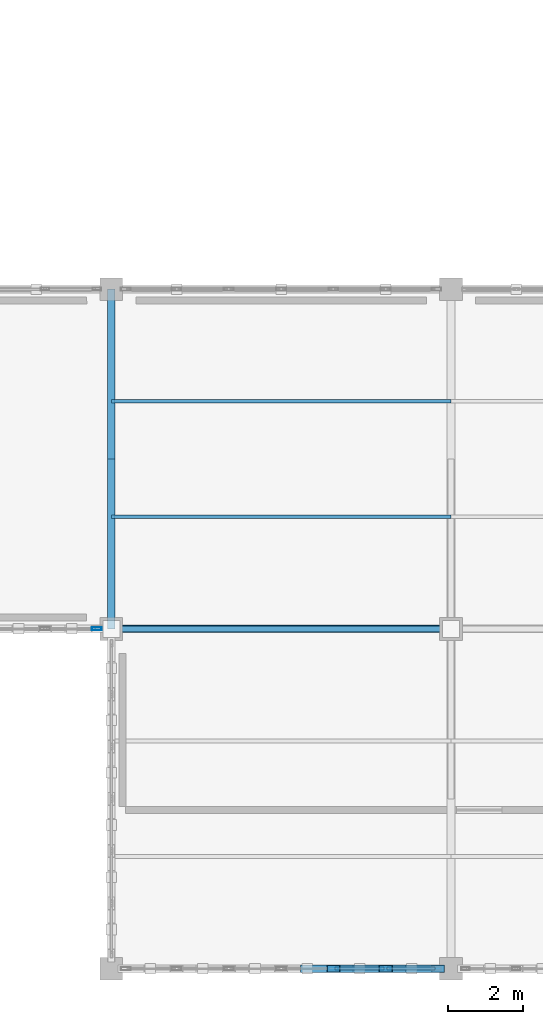
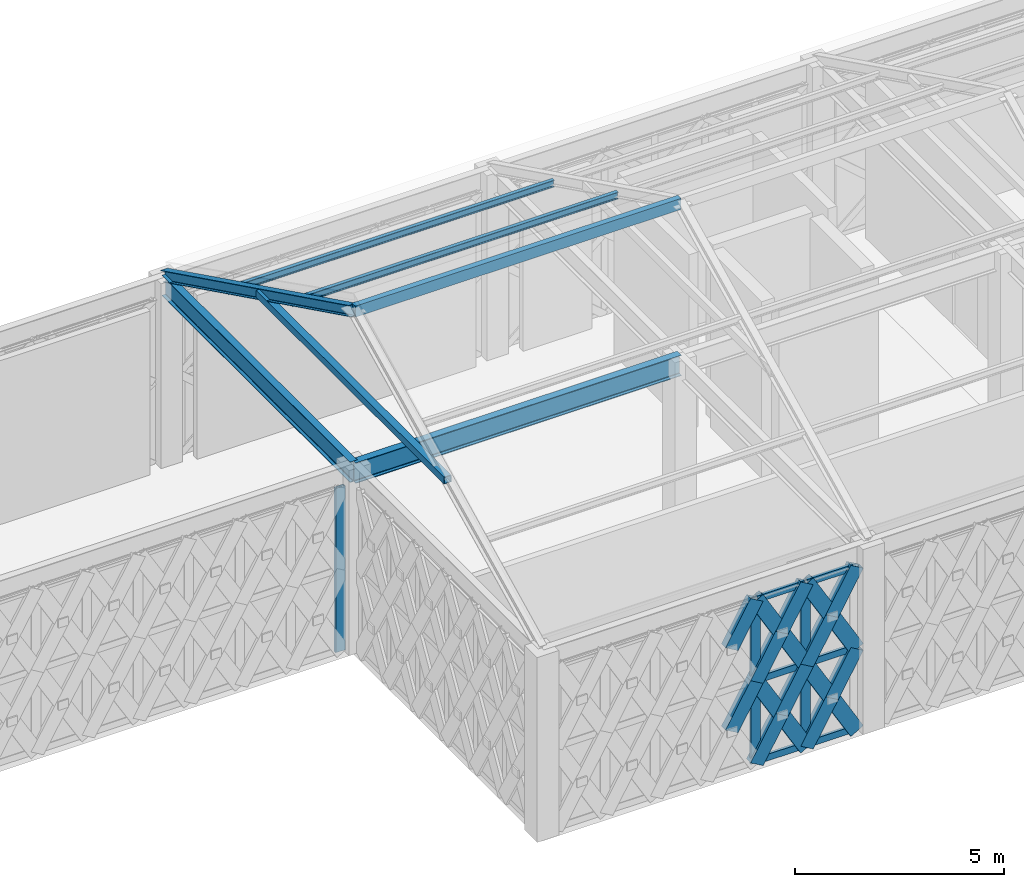
# One storey, part 6 of 32: 28 members, 2 beams, 2 elements without a shape of their own.
"""IFC4 building model written with IfcOpenShell, lengths in metres."""

from ifc_helpers import new_model, si_unit, direction, frame, origin, origin_2d, place, context, subcontext, project, spatial, hollow_rectangle, i_section, extrude, material, material_profile, profile_set, type_object, element, aggregate, save


model = new_model("IFC4")

# Units and contexts
model_context = context("Model", 3, precision=1e-05, world=origin(), true_north=direction((0.0, 1.0)))
body_context = subcontext(model_context, "Body", "Model", "MODEL_VIEW")
ifc_project = project(units=[si_unit("LENGTHUNIT", "METRE"), si_unit("AREAUNIT", "SQUARE_METRE"), si_unit("VOLUMEUNIT", "CUBIC_METRE"), si_unit("PLANEANGLEUNIT", "RADIAN"), si_unit("MASSUNIT", "GRAM", prefix="KILO")], contexts=[model_context])

# Site, building, storey
site_placement = place(None, origin())
site = spatial("IfcSite", under=ifc_project, at=site_placement, CompositionType="ELEMENT")
building_placement = place(site_placement, origin())
building = spatial("IfcBuilding", under=site, at=building_placement, Name="Haizhuo Lancet Aquarium", CompositionType="ELEMENT")
storey_placement = place(building_placement, frame((0.0, 0.0, 27.0)))
storey = spatial("IfcBuildingStorey", under=building, at=storey_placement, Name="L05", CompositionType="ELEMENT", Elevation=27.0)

# Beams
ifc_material_1 = material(Name="Steel S355", Category="steel")
ifc_material_profile_1 = material_profile(ifc_material_1, i_section(OverallWidth=0.199951171875, OverallDepth=0.60009765625, WebThickness=0.010986328125, FlangeThickness=0.01708984375, FilletRadius=0.02197265625, at=origin_2d()), Name="HN 600x200x11x17")
ifc_profile_set_1 = profile_set([ifc_material_profile_1], Name="Steel S355")
beam_type = type_object("IfcBeamType", Name="BM-ST-HN600", PredefinedType="BEAM", material=ifc_profile_set_1)
for number, where, z_axis, x_axis, name in (
    (1, (-72.0, -18.0, 5.10009765625), (0.0, 1.0, 0.0), (-1.0, 0.0, 0.0), "L05 V6 primary girder BM-L05-V6-006"),
    (2, (-72.0, -18.0, 5.10009765625), (1.0, 0.0, 0.0), (0.0, 1.0, 0.0), "L05 V6 primary girder BM-L05-V6-007"),
):
    element("IfcBeam", number, at=place(storey_placement, frame(where, z_axis=z_axis, x_axis=x_axis)), inside=storey, type_object=beam_type, Name=name, PredefinedType="BEAM", context=body_context, shape_type="SweptSolid", body=[
        extrude(i_section(OverallWidth=0.199951171875, OverallDepth=0.60009765625, WebThickness=0.010986328125, FlangeThickness=0.01708984375, FilletRadius=0.02197265625, at=origin_2d()), origin(), (0.0, 0.0, 1.0), 9.0),
    ])

# Curtain wall, member
ifc_material_2 = material(Name="Aluminium 6063-T6", Category="aluminium")
curtain_wall_type_1 = type_object("IfcCurtainWallType", Name="CWD-9860x4800", PredefinedType="NOTDEFINED", material=ifc_material_2)
curtain_wall_1_placement = place(storey_placement, origin())
curtain_wall_1 = element("IfcCurtainWall", 3, at=curtain_wall_1_placement, inside=storey, type_object=curtain_wall_type_1, Name="L05 curtain wall CW-V6-L05-258", PredefinedType="NOTDEFINED")
ifc_material_profile_2 = material_profile(ifc_material_2, hollow_rectangle(XDim=0.080078125, YDim=0.260009765625, WallThickness=0.0048828125, at=origin_2d()), Name="ALU-M 80x260x5")
ifc_profile_set_2 = profile_set([ifc_material_profile_2], Name="Aluminium 6063-T6")
member_type_1 = type_object("IfcMemberType", Name="CW-MUL-3", PredefinedType="MULLION", material=ifc_profile_set_2)
member_1_placement = place(storey_placement, frame((-72.385009765625, -18.0, 0.0), z_axis=(0.0, 0.0, 1.0), x_axis=(0.0, -1.0, 0.0)))
member_1 = element("IfcMember", 4, at=member_1_placement, type_object=member_type_1, Name="CWD-98x48 mullion 1", PredefinedType="MULLION", context=body_context, shape_type="SweptSolid", body=[
    extrude(hollow_rectangle(XDim=0.080078125, YDim=0.260009765625, WallThickness=0.0048828125, at=origin_2d()), origin(), (0.0, 0.0, 1.0), 4.800048828125),
])
aggregate(curtain_wall_1, [member_1])

# Curtain wall, members
curtain_wall_type_2 = type_object("IfcCurtainWallType", Name="CWD-8310x4800", PredefinedType="NOTDEFINED", material=ifc_material_2)
curtain_wall_2_placement = place(storey_placement, origin())
curtain_wall_2 = element("IfcCurtainWall", 5, at=curtain_wall_2_placement, inside=storey, type_object=curtain_wall_type_2, Name="L05 curtain wall CW-V6-L05-270", PredefinedType="NOTDEFINED")
member_2_placement = place(storey_placement, frame((-64.72998046875, -27.0, 0.0), z_axis=(0.0, 0.0, 1.0), x_axis=(0.0, -1.0, 0.0)))
member_2 = element("IfcMember", 6, at=member_2_placement, type_object=member_type_1, Name="CWD-83x48 mullion 2", PredefinedType="MULLION", context=body_context, shape_type="SweptSolid", body=[
    extrude(hollow_rectangle(XDim=0.080078125, YDim=0.260009765625, WallThickness=0.0048828125, at=origin_2d()), origin(), (0.0, 0.0, 1.0), 4.800048828125),
])
member_3_placement = place(storey_placement, frame((-66.114990234375, -27.0, 0.0), z_axis=(0.0, 0.0, 1.0), x_axis=(0.0, -1.0, 0.0)))
member_3 = element("IfcMember", 7, at=member_3_placement, type_object=member_type_1, Name="CWD-83x48 mullion 3", PredefinedType="MULLION", context=body_context, shape_type="SweptSolid", body=[
    extrude(hollow_rectangle(XDim=0.080078125, YDim=0.260009765625, WallThickness=0.0048828125, at=origin_2d()), origin(), (0.0, 0.0, 1.0), 4.800048828125),
])
ifc_material_profile_3 = material_profile(ifc_material_2, hollow_rectangle(XDim=0.080078125, YDim=0.18994140625, WallThickness=0.0048828125, at=origin_2d()), Name="ALU-T 80x190x5")
ifc_profile_set_3 = profile_set([ifc_material_profile_3], Name="Aluminium 6063-T6")
member_type_2 = type_object("IfcMemberType", Name="CW-TRN-3", PredefinedType="NOTDEFINED", material=ifc_profile_set_3)
member_4_placement = place(storey_placement, frame((-63.425048828125, -27.0, 0.0400390625), z_axis=(-1.0, 0.0, 0.0), x_axis=(0.0, -1.0, 0.0)))
member_4 = element("IfcMember", 8, at=member_4_placement, type_object=member_type_2, Name="CWD-83x48 transom 1.1", ObjectType="TRANSOM", PredefinedType="USERDEFINED", context=body_context, shape_type="SweptSolid", body=[
    extrude(hollow_rectangle(XDim=0.080078125, YDim=0.18994140625, WallThickness=0.0048828125, at=origin_2d()), origin(), (0.0, 0.0, 1.0), 1.264892578125),
])
member_5_placement = place(storey_placement, frame((-63.425048828125, -27.0, 2.39990234375), z_axis=(-1.0, 0.0, 0.0), x_axis=(0.0, -1.0, 0.0)))
member_5 = element("IfcMember", 9, at=member_5_placement, type_object=member_type_2, Name="CWD-83x48 transom 1.2", ObjectType="TRANSOM", PredefinedType="USERDEFINED", context=body_context, shape_type="SweptSolid", body=[
    extrude(hollow_rectangle(XDim=0.080078125, YDim=0.18994140625, WallThickness=0.0048828125, at=origin_2d()), origin(), (0.0, 0.0, 1.0), 1.264892578125),
])
member_6_placement = place(storey_placement, frame((-63.425048828125, -27.0, 4.760009765625), z_axis=(-1.0, 0.0, 0.0), x_axis=(0.0, -1.0, 0.0)))
member_6 = element("IfcMember", 10, at=member_6_placement, type_object=member_type_2, Name="CWD-83x48 transom 1.3", ObjectType="TRANSOM", PredefinedType="USERDEFINED", context=body_context, shape_type="SweptSolid", body=[
    extrude(hollow_rectangle(XDim=0.080078125, YDim=0.18994140625, WallThickness=0.0048828125, at=origin_2d()), origin(), (0.0, 0.0, 1.0), 1.264892578125),
])
member_7_placement = place(storey_placement, frame((-64.77001953125, -27.0, 0.0400390625), z_axis=(-1.0, 0.0, 0.0), x_axis=(0.0, -1.0, 0.0)))
member_7 = element("IfcMember", 11, at=member_7_placement, type_object=member_type_2, Name="CWD-83x48 transom 2.1", ObjectType="TRANSOM", PredefinedType="USERDEFINED", context=body_context, shape_type="SweptSolid", body=[
    extrude(hollow_rectangle(XDim=0.080078125, YDim=0.18994140625, WallThickness=0.0048828125, at=origin_2d()), origin(), (0.0, 0.0, 1.0), 1.304931640625),
])
member_8_placement = place(storey_placement, frame((-64.77001953125, -27.0, 2.39990234375), z_axis=(-1.0, 0.0, 0.0), x_axis=(0.0, -1.0, 0.0)))
member_8 = element("IfcMember", 12, at=member_8_placement, type_object=member_type_2, Name="CWD-83x48 transom 2.2", ObjectType="TRANSOM", PredefinedType="USERDEFINED", context=body_context, shape_type="SweptSolid", body=[
    extrude(hollow_rectangle(XDim=0.080078125, YDim=0.18994140625, WallThickness=0.0048828125, at=origin_2d()), origin(), (0.0, 0.0, 1.0), 1.304931640625),
])
member_9_placement = place(storey_placement, frame((-64.77001953125, -27.0, 4.760009765625), z_axis=(-1.0, 0.0, 0.0), x_axis=(0.0, -1.0, 0.0)))
member_9 = element("IfcMember", 13, at=member_9_placement, type_object=member_type_2, Name="CWD-83x48 transom 2.3", ObjectType="TRANSOM", PredefinedType="USERDEFINED", context=body_context, shape_type="SweptSolid", body=[
    extrude(hollow_rectangle(XDim=0.080078125, YDim=0.18994140625, WallThickness=0.0048828125, at=origin_2d()), origin(), (0.0, 0.0, 1.0), 1.304931640625),
])
aggregate(curtain_wall_2, [member_2, member_3, member_4, member_5, member_6, member_7, member_8, member_9])

# Members
ifc_material_profile_4 = material_profile(ifc_material_1, hollow_rectangle(XDim=0.159912109375, YDim=0.320068359375, WallThickness=0.010009765625, at=origin_2d()), Name="RHS 160x320x10")
ifc_profile_set_4 = profile_set([ifc_material_profile_4], Name="Steel S355")
member_type_3 = type_object("IfcMemberType", Name="MEM-CH-RHS160x320", PredefinedType="CHORD", material=ifc_profile_set_4)
member_10_placement = place(storey_placement, frame((-72.0, -18.0, 9.804931640625), z_axis=(1.0, 0.0, 0.0), x_axis=(0.0, 1.0, 0.0)))
element("IfcMember", 14, at=member_10_placement, inside=storey, type_object=member_type_3, Name="V6 roof ridge chord 1", PredefinedType="CHORD", context=body_context, shape_type="SweptSolid", body=[
    extrude(hollow_rectangle(XDim=0.159912109375, YDim=0.320068359375, WallThickness=0.010009765625, at=origin_2d()), origin(), (0.0, 0.0, 1.0), 9.0),
])
ifc_material_profile_5 = material_profile(ifc_material_1, hollow_rectangle(XDim=0.199951171875, YDim=0.199951171875, WallThickness=0.010009765625, at=origin_2d()), Name="SHS 200x200x10")
ifc_profile_set_5 = profile_set([ifc_material_profile_5], Name="Steel S355")
member_type_4 = type_object("IfcMemberType", Name="MEM-CL-SHS200", PredefinedType="COLLAR", material=ifc_profile_set_5)
member_11_placement = place(storey_placement, frame((-72.0, -22.5, 7.5869140625), z_axis=(0.0, 1.0, 0.0), x_axis=(-1.0, 0.0, 0.0)))
element("IfcMember", 15, at=member_11_placement, inside=storey, type_object=member_type_4, Name="V6 Gothic roof collar tie 1", PredefinedType="COLLAR", context=body_context, shape_type="SweptSolid", body=[
    extrude(hollow_rectangle(XDim=0.199951171875, YDim=0.199951171875, WallThickness=0.010009765625, at=origin_2d()), origin(), (0.0, 0.0, 1.0), 9.0),
])
ifc_material_profile_6 = material_profile(ifc_material_1, hollow_rectangle(XDim=0.199951171875, YDim=0.39990234375, WallThickness=0.011962890625, at=origin_2d()), Name="RHS 200x400x12")
ifc_profile_set_6 = profile_set([ifc_material_profile_6], Name="Steel S355")
member_type_5 = type_object("IfcMemberType", Name="MEM-LB-RHS200x400", PredefinedType="BRACE", material=ifc_profile_set_6)
member_12_placement = place(storey_placement, frame((-63.344970703125, -27.0, 0.0), z_axis=(-0.499844491261, 0.0, 0.866115168182), x_axis=(0.0, -1.0, 0.0)))
element("IfcMember", 16, at=member_12_placement, inside=storey, type_object=member_type_5, Name="Gothic lancet continuous diagonal brace CW-V6-L05-270 1A", PredefinedType="BRACE", context=body_context, shape_type="SweptSolid", body=[
    extrude(hollow_rectangle(XDim=0.199951171875, YDim=0.39990234375, WallThickness=0.011962890625, at=origin_2d()), origin(), (0.0, 0.0, 1.0), 2.77099609375),
])
member_13_placement = place(storey_placement, frame((-64.72998046875, -27.0, 0.0), z_axis=(0.500042739161, 0.0, 0.866000726912), x_axis=(0.0, 1.0, 0.0)))
element("IfcMember", 17, at=member_13_placement, inside=storey, type_object=member_type_5, Name="Gothic lancet split diagonal brace CW-V6-L05-270 1B1", PredefinedType="BRACE", context=body_context, shape_type="SweptSolid", body=[
    extrude(hollow_rectangle(XDim=0.199951171875, YDim=0.39990234375, WallThickness=0.011962890625, at=origin_2d()), origin(), (0.0, 0.0, 1.0), 1.3857421875),
])
member_14_placement = place(storey_placement, frame((-64.037109375, -27.0, 1.199951171875), z_axis=(0.499646164767, 0.0, 0.866229594296), x_axis=(0.0, 1.0, 0.0)))
element("IfcMember", 18, at=member_14_placement, inside=storey, type_object=member_type_5, Name="Gothic lancet split diagonal brace CW-V6-L05-270 1B2", PredefinedType="BRACE", context=body_context, shape_type="SweptSolid", body=[
    extrude(hollow_rectangle(XDim=0.199951171875, YDim=0.39990234375, WallThickness=0.011962890625, at=origin_2d()), origin(), (0.0, 0.0, 1.0), 1.38525390625),
])
member_15_placement = place(storey_placement, frame((-63.344970703125, -27.0, 2.39990234375), z_axis=(-0.499806349121, 0.0, 0.866137179307), x_axis=(0.0, -1.0, 0.0)))
element("IfcMember", 19, at=member_15_placement, inside=storey, type_object=member_type_5, Name="Gothic lancet continuous diagonal brace CW-V6-L05-270 2A", PredefinedType="BRACE", context=body_context, shape_type="SweptSolid", body=[
    extrude(hollow_rectangle(XDim=0.199951171875, YDim=0.39990234375, WallThickness=0.011962890625, at=origin_2d()), origin(), (0.0, 0.0, 1.0), 2.77099609375),
])
member_16_placement = place(storey_placement, frame((-64.72998046875, -27.0, 2.39990234375), z_axis=(0.499966449638, 0.0, 0.866044773228), x_axis=(0.0, 1.0, 0.0)))
element("IfcMember", 20, at=member_16_placement, inside=storey, type_object=member_type_5, Name="Gothic lancet split diagonal brace CW-V6-L05-270 2B1", PredefinedType="BRACE", context=body_context, shape_type="SweptSolid", body=[
    extrude(hollow_rectangle(XDim=0.199951171875, YDim=0.39990234375, WallThickness=0.011962890625, at=origin_2d()), origin(), (0.0, 0.0, 1.0), 1.3857421875),
])
member_17_placement = place(storey_placement, frame((-64.037109375, -27.0, 3.60009765625), z_axis=(0.499646164767, 0.0, 0.866229594296), x_axis=(0.0, 1.0, 0.0)))
element("IfcMember", 21, at=member_17_placement, inside=storey, type_object=member_type_5, Name="Gothic lancet split diagonal brace CW-V6-L05-270 2B2", PredefinedType="BRACE", context=body_context, shape_type="SweptSolid", body=[
    extrude(hollow_rectangle(XDim=0.199951171875, YDim=0.39990234375, WallThickness=0.011962890625, at=origin_2d()), origin(), (0.0, 0.0, 1.0), 1.38525390625),
])
member_18_placement = place(storey_placement, frame((-64.72998046875, -27.0, 0.0), z_axis=(-0.499844491261, 0.0, 0.866115168182), x_axis=(0.0, -1.0, 0.0)))
element("IfcMember", 22, at=member_18_placement, inside=storey, type_object=member_type_5, Name="Gothic lancet continuous diagonal brace CW-V6-L05-270 3A", PredefinedType="BRACE", context=body_context, shape_type="SweptSolid", body=[
    extrude(hollow_rectangle(XDim=0.199951171875, YDim=0.39990234375, WallThickness=0.011962890625, at=origin_2d()), origin(), (0.0, 0.0, 1.0), 2.77099609375),
])
member_19_placement = place(storey_placement, frame((-66.114990234375, -27.0, 0.0), z_axis=(0.500042739161, 0.0, 0.866000726912), x_axis=(0.0, 1.0, 0.0)))
element("IfcMember", 23, at=member_19_placement, inside=storey, type_object=member_type_5, Name="Gothic lancet split diagonal brace CW-V6-L05-270 3B1", PredefinedType="BRACE", context=body_context, shape_type="SweptSolid", body=[
    extrude(hollow_rectangle(XDim=0.199951171875, YDim=0.39990234375, WallThickness=0.011962890625, at=origin_2d()), origin(), (0.0, 0.0, 1.0), 1.3857421875),
])
member_20_placement = place(storey_placement, frame((-65.422119140625, -27.0, 1.199951171875), z_axis=(0.499646164767, 0.0, 0.866229594296), x_axis=(0.0, 1.0, 0.0)))
element("IfcMember", 24, at=member_20_placement, inside=storey, type_object=member_type_5, Name="Gothic lancet split diagonal brace CW-V6-L05-270 3B2", PredefinedType="BRACE", context=body_context, shape_type="SweptSolid", body=[
    extrude(hollow_rectangle(XDim=0.199951171875, YDim=0.39990234375, WallThickness=0.011962890625, at=origin_2d()), origin(), (0.0, 0.0, 1.0), 1.38525390625),
])
member_21_placement = place(storey_placement, frame((-64.72998046875, -27.0, 2.39990234375), z_axis=(-0.499806349121, 0.0, 0.866137179307), x_axis=(0.0, -1.0, 0.0)))
element("IfcMember", 25, at=member_21_placement, inside=storey, type_object=member_type_5, Name="Gothic lancet continuous diagonal brace CW-V6-L05-270 4A", PredefinedType="BRACE", context=body_context, shape_type="SweptSolid", body=[
    extrude(hollow_rectangle(XDim=0.199951171875, YDim=0.39990234375, WallThickness=0.011962890625, at=origin_2d()), origin(), (0.0, 0.0, 1.0), 2.77099609375),
])
member_22_placement = place(storey_placement, frame((-66.114990234375, -27.0, 2.39990234375), z_axis=(0.499966449638, 0.0, 0.866044773228), x_axis=(0.0, 1.0, 0.0)))
element("IfcMember", 26, at=member_22_placement, inside=storey, type_object=member_type_5, Name="Gothic lancet split diagonal brace CW-V6-L05-270 4B1", PredefinedType="BRACE", context=body_context, shape_type="SweptSolid", body=[
    extrude(hollow_rectangle(XDim=0.199951171875, YDim=0.39990234375, WallThickness=0.011962890625, at=origin_2d()), origin(), (0.0, 0.0, 1.0), 1.3857421875),
])
member_23_placement = place(storey_placement, frame((-65.422119140625, -27.0, 3.60009765625), z_axis=(0.499646164767, 0.0, 0.866229594296), x_axis=(0.0, 1.0, 0.0)))
element("IfcMember", 27, at=member_23_placement, inside=storey, type_object=member_type_5, Name="Gothic lancet split diagonal brace CW-V6-L05-270 4B2", PredefinedType="BRACE", context=body_context, shape_type="SweptSolid", body=[
    extrude(hollow_rectangle(XDim=0.199951171875, YDim=0.39990234375, WallThickness=0.011962890625, at=origin_2d()), origin(), (0.0, 0.0, 1.0), 1.38525390625),
])
for number, where, z_axis, x_axis, name in (
    (28, (-66.80810546875, -27.0, 1.199951171875), (0.500174860769, 0.0, 0.865924424332), (0.0, 1.0, 0.0), "Gothic lancet split diagonal brace CW-V6-L05-270 5B2"),
    (29, (-66.80810546875, -27.0, 3.60009765625), (0.500174860769, 0.0, 0.865924424332), (0.0, 1.0, 0.0), "Gothic lancet split diagonal brace CW-V6-L05-270 6B2"),
):
    element("IfcMember", number, at=place(storey_placement, frame(where, z_axis=z_axis, x_axis=x_axis)), inside=storey, type_object=member_type_5, Name=name, PredefinedType="BRACE", context=body_context, shape_type="SweptSolid", body=[
        extrude(hollow_rectangle(XDim=0.199951171875, YDim=0.39990234375, WallThickness=0.011962890625, at=origin_2d()), origin(), (0.0, 0.0, 1.0), 1.3857421875),
    ])
ifc_material_profile_7 = material_profile(ifc_material_1, i_section(OverallWidth=0.10009765625, OverallDepth=0.199951171875, WebThickness=0.005615234375, FlangeThickness=0.008056640625, FilletRadius=0.008056640625, at=origin_2d()), Name="HN 200x100x5.5x8")
ifc_profile_set_7 = profile_set([ifc_material_profile_7], Name="Steel S355")
member_type_6 = type_object("IfcMemberType", Name="MEM-PR-HN200", PredefinedType="PURLIN", material=ifc_profile_set_7)
for number, where, z_axis, x_axis, name in (
    (30, (-72.0, -11.969970703125, 6.72412109375), (1.0, 0.0, 0.0), (0.0, 1.0, 0.0), "V6 north roof purlin 1"),
    (31, (-72.0, -15.030029296875, 8.23095703125), (1.0, 0.0, 0.0), (0.0, 1.0, 0.0), "V6 north roof purlin 1"),
):
    element("IfcMember", number, at=place(storey_placement, frame(where, z_axis=z_axis, x_axis=x_axis)), inside=storey, type_object=member_type_6, Name=name, PredefinedType="PURLIN", context=body_context, shape_type="SweptSolid", body=[
        extrude(i_section(OverallWidth=0.10009765625, OverallDepth=0.199951171875, WebThickness=0.005615234375, FlangeThickness=0.008056640625, FilletRadius=0.008056640625, at=origin_2d()), origin(), (0.0, 0.0, 1.0), 9.0),
    ])
ifc_material_profile_8 = material_profile(ifc_material_1, i_section(OverallWidth=0.199951171875, OverallDepth=0.2939453125, WebThickness=0.008056640625, FlangeThickness=0.011962890625, FilletRadius=0.01611328125, at=origin_2d()), Name="HM 294x200x8x12")
ifc_profile_set_8 = profile_set([ifc_material_profile_8], Name="Steel S355")
member_type_7 = type_object("IfcMemberType", Name="MEM-RF-HM294", PredefinedType="RAFTER", material=ifc_profile_set_8)
member_24_placement = place(storey_placement, frame((-72.0, -9.0, 5.3701171875), z_axis=(0.0, -0.897010851352, 0.44200852091), x_axis=(1.0, 0.0, 0.0)))
element("IfcMember", 32, at=member_24_placement, inside=storey, type_object=member_type_7, Name="V6 Gothic pitched roof north rafter 1", PredefinedType="RAFTER", context=body_context, shape_type="SweptSolid", body=[
    extrude(i_section(OverallWidth=0.199951171875, OverallDepth=0.2939453125, WebThickness=0.008056640625, FlangeThickness=0.011962890625, FilletRadius=0.01611328125, at=origin_2d()), origin(), (0.0, 0.0, 1.0), 10.033203125),
])

save(model, "model.ifc")
